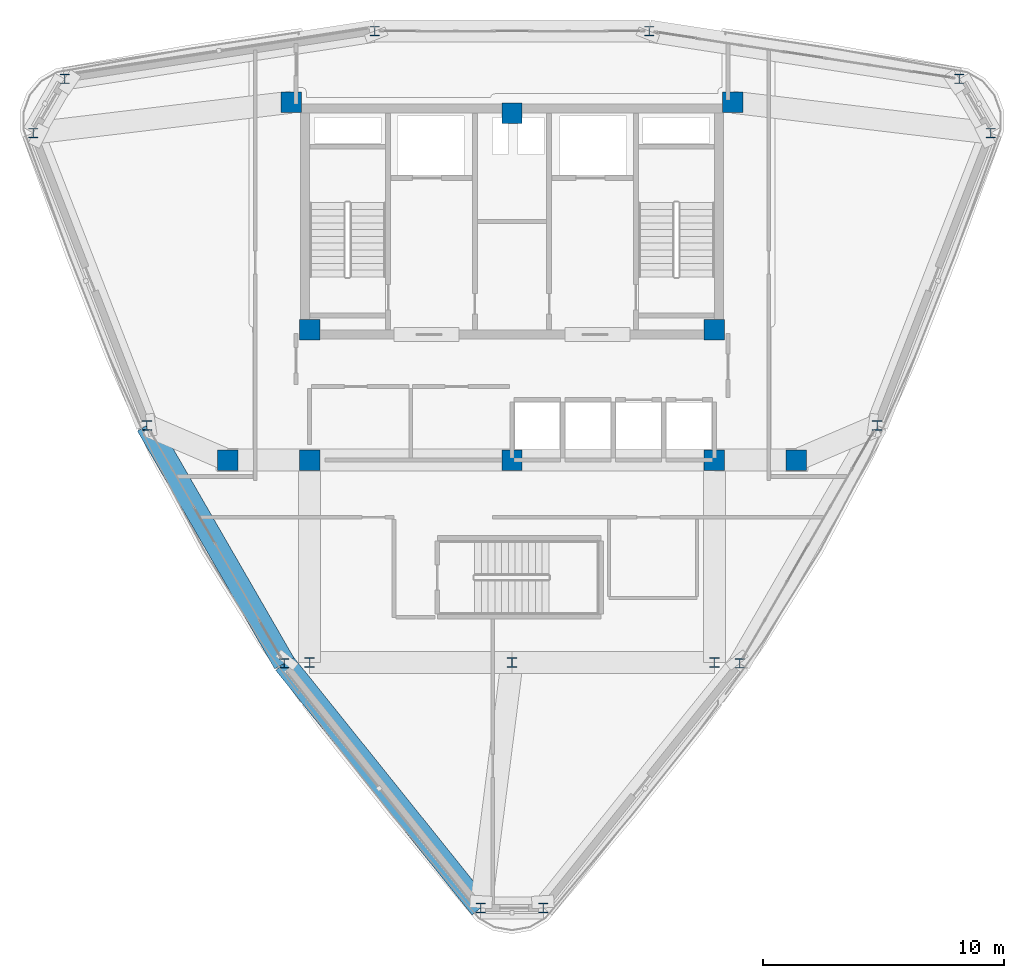
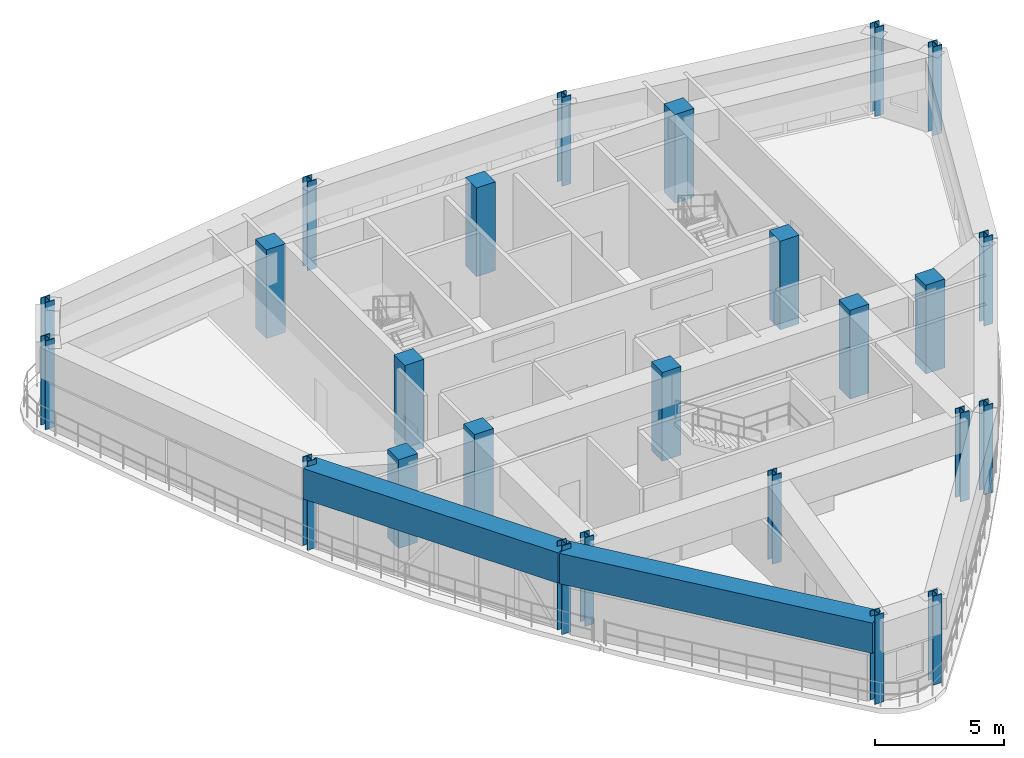
# One storey, part 1 of 18: 25 columns, 2 beams.
"""IFC4 building model written with IfcOpenShell, lengths in metres."""

from ifc_helpers import new_model, si_unit, derived_unit, direction, frame, origin, origin_2d, place, context, subcontext, project, spatial, rectangle, i_section, extrude, source, transform, mapped, material, material_profile, profile_set, type_object, element, save


model = new_model("IFC4")

# Units and contexts
model_context = context("Model", 3, precision=1e-05, world=origin(), true_north=direction((0.0, 1.0)))
body_context = subcontext(model_context, "Body", "Model", "MODEL_VIEW")
ifc_project = project(units=[si_unit("LENGTHUNIT", "METRE"), si_unit("AREAUNIT", "SQUARE_METRE"), si_unit("VOLUMEUNIT", "CUBIC_METRE"), si_unit("PLANEANGLEUNIT", "RADIAN"), si_unit("MASSUNIT", "GRAM", prefix="KILO"), derived_unit("THERMALTRANSMITTANCEUNIT", [(si_unit("POWERUNIT", "WATT"), 1), (si_unit("LENGTHUNIT", "METRE"), -2), (si_unit("THERMODYNAMICTEMPERATUREUNIT", "KELVIN"), -1)])], contexts=[model_context])

# Site, building, storey
site_placement = place(None, origin())
site = spatial("IfcSite", under=ifc_project, at=site_placement, CompositionType="ELEMENT")
building_placement = place(site_placement, origin())
building = spatial("IfcBuilding", under=site, at=building_placement, Name="Korsvarv Bourse and Concert Hall", CompositionType="ELEMENT")
storey_placement = place(building_placement, frame((0.0, 0.0, 275.39990234375)))
storey = spatial("IfcBuildingStorey", under=building, at=storey_placement, Name="L72", CompositionType="ELEMENT", Elevation=275.39990234375)

# Columns
ifc_material_1 = material(Name="Concrete C50/60", Category="concrete")
ifc_material_profile_1 = material_profile(ifc_material_1, rectangle(XDim=0.85009765625, YDim=0.85009765625, at=origin_2d()), Name="RC 850x850")
ifc_profile_set_1 = profile_set([ifc_material_profile_1], Name="Concrete C50/60")
column_type_1 = type_object("IfcColumnType", Name="COL-RC850", PredefinedType="COLUMN", material=ifc_profile_set_1)
shared_shape_1 = source(origin(), body_context, "Body", "SweptSolid", [
    extrude(rectangle(XDim=0.85009765625, YDim=0.85009765625, at=origin_2d()), origin(), (0.0, 0.0, 1.0), 4.2001953125),
])
for number, where, z_axis, x_axis, name in (
    (1, (26.85009765625, 47.25, 0.0), (0.0, 0.0, 1.0), (1.0, 0.0, 0.0), "L72 column C-04"),
    (2, (45.14990234375, 47.25, 0.0), (0.0, 0.0, 1.0), (1.0, 0.0, 0.0), "L72 column C-04"),
    (3, (27.60009765625, 37.800048828125, 0.0), (0.0, 0.0, 1.0), (1.0, 0.0, 0.0), "L72 column C-04"),
    (4, (44.39990234375, 37.800048828125, 0.0), (0.0, 0.0, 1.0), (1.0, 0.0, 0.0), "L72 column C-04"),
    (5, (27.60009765625, 32.39990234375, 0.0), (0.0, 0.0, 1.0), (1.0, 0.0, 0.0), "L72 column C-04"),
    (6, (44.39990234375, 32.39990234375, 0.0), (0.0, 0.0, 1.0), (1.0, 0.0, 0.0), "L72 column C-04"),
    (7, (36.0, 46.800048828125, 0.0), (0.0, 0.0, 1.0), (1.0, 0.0, 0.0), "L72 column C-04"),
    (8, (36.0, 32.39990234375, 0.0), (0.0, 0.0, 1.0), (1.0, 0.0, 0.0), "L72 column C-04"),
    (9, (24.199951171875, 32.39990234375, 0.0), (0.0, 0.0, 1.0), (1.0, 0.0, 0.0), "L72 column C-04"),
    (10, (47.800048828125, 32.39990234375, 0.0), (0.0, 0.0, 1.0), (1.0, 0.0, 0.0), "L72 column C-04"),
):
    element("IfcColumn", number, at=place(storey_placement, frame(where, z_axis=z_axis, x_axis=x_axis)), inside=storey, type_object=column_type_1, Name=name, PredefinedType="COLUMN", context=body_context, shape_type="MappedRepresentation", body=[
        mapped(shared_shape_1, transform((0.0, 0.0, 0.0), scale=1.0)),
    ])
ifc_material_2 = material(Name="Steel S355", Category="steel")
ifc_material_profile_2 = material_profile(ifc_material_2, i_section(OverallWidth=0.40087890625, OverallDepth=0.39892578125, WebThickness=0.0224609375, FlangeThickness=0.035888671875, FilletRadius=0.014892578125, at=origin_2d()), Name="HD 400x314")
ifc_profile_set_2 = profile_set([ifc_material_profile_2], Name="Steel S355")
column_type_2 = type_object("IfcColumnType", Name="COL-HD314", PredefinedType="COLUMN", material=ifc_profile_set_2)
shared_shape_2 = source(origin(), body_context, "Body", "SweptSolid", [
    extrude(i_section(OverallWidth=0.40087890625, OverallDepth=0.39892578125, WebThickness=0.0224609375, FlangeThickness=0.035888671875, FilletRadius=0.014892578125, at=origin_2d()), origin(), (0.0, 0.0, 1.0), 4.2001953125),
])
for number, where, z_axis, x_axis, name in (
    (11, (27.60009765625, 24.0, 0.0), (0.0, 0.0, 1.0), (1.0, 0.0, 0.0), "L72 column C-11"),
    (12, (44.39990234375, 24.0, 0.0), (0.0, 0.0, 1.0), (1.0, 0.0, 0.0), "L72 column C-11"),
    (13, (36.0, 24.0, 0.0), (0.0, 0.0, 1.0), (1.0, 0.0, 0.0), "L72 column C-11"),
    (14, (55.86328125, 45.9677734375, 0.0), (0.0, 0.0, 1.0), (1.0, 0.0, 0.0), "L72 column C-11"),
    (15, (54.564208984375, 48.21826171875, 0.0), (0.0, 0.0, 1.0), (1.0, 0.0, 0.0), "L72 column C-11"),
    (16, (41.69921875, 50.19970703125, 0.0), (0.0, 0.0, 1.0), (1.0, 0.0, 0.0), "L72 column C-11"),
    (17, (30.30078125, 50.19970703125, 0.0), (0.0, 0.0, 1.0), (1.0, 0.0, 0.0), "L72 column C-11"),
    (18, (17.435791015625, 48.21826171875, 0.0), (0.0, 0.0, 1.0), (1.0, 0.0, 0.0), "L72 column C-11"),
    (19, (16.13671875, 45.9677734375, 0.0), (0.0, 0.0, 1.0), (1.0, 0.0, 0.0), "L72 column C-11"),
    (20, (20.85302734375, 33.835693359375, 0.0), (0.0, 0.0, 1.0), (1.0, 0.0, 0.0), "L72 column C-11"),
    (21, (26.55224609375, 23.964599609375, 0.0), (0.0, 0.0, 1.0), (1.0, 0.0, 0.0), "L72 column C-11"),
    (22, (34.70068359375, 13.81396484375, 0.0), (0.0, 0.0, 1.0), (1.0, 0.0, 0.0), "L72 column C-11"),
    (23, (37.29931640625, 13.81396484375, 0.0), (0.0, 0.0, 1.0), (1.0, 0.0, 0.0), "L72 column C-11"),
    (24, (45.44775390625, 23.964599609375, 0.0), (0.0, 0.0, 1.0), (1.0, 0.0, 0.0), "L72 column C-11"),
    (25, (51.14697265625, 33.835693359375, 0.0), (0.0, 0.0, 1.0), (1.0, 0.0, 0.0), "L72 column C-11"),
):
    element("IfcColumn", number, at=place(storey_placement, frame(where, z_axis=z_axis, x_axis=x_axis)), inside=storey, type_object=column_type_2, Name=name, PredefinedType="COLUMN", context=body_context, shape_type="MappedRepresentation", body=[
        mapped(shared_shape_2, transform((0.0, 0.0, 0.0), scale=1.0)),
    ])

# Beams
ifc_material_profile_3 = material_profile(ifc_material_1, rectangle(XDim=0.919921875, YDim=1.43994140625, at=origin_2d()), Name="RC-BM 920x1440")
ifc_profile_set_3 = profile_set([ifc_material_profile_3], Name="Concrete C50/60")
beam_type = type_object("IfcBeamType", Name="BM-TR-144", PredefinedType="BEAM", material=ifc_profile_set_3)
shared_shape_3 = source(origin(), body_context, "Body", "SweptSolid", [
    extrude(rectangle(XDim=0.919921875, YDim=1.43994140625, at=origin_2d()), origin(), (0.0, 0.0, 1.0), 13.0166015625),
])
beam_1_placement = place(storey_placement, frame((26.55224609375, 23.964599609375, 3.239990234375), z_axis=(0.626002520794, -0.779821033289, 0.0), x_axis=(0.779821033289, 0.626002520794, 0.0)))
element("IfcBeam", 26, at=beam_1_placement, inside=storey, type_object=beam_type, Name="L72 beam B-TR4", PredefinedType="BEAM", context=body_context, shape_type="MappedRepresentation", body=[
    mapped(shared_shape_3, transform((0.0, 0.0, 0.0), scale=1.0)),
])
shared_shape_4 = source(origin(), body_context, "Body", "SweptSolid", [
    extrude(rectangle(XDim=0.919921875, YDim=1.43994140625, at=origin_2d()), origin(), (0.0, 0.0, 1.0), 11.398193359375),
])
beam_2_placement = place(storey_placement, frame((20.85302734375, 33.835693359375, 3.239990234375), z_axis=(0.500009219579, -0.866020080793, 0.0), x_axis=(0.866020080793, 0.500009219579, 0.0)))
element("IfcBeam", 27, at=beam_2_placement, inside=storey, type_object=beam_type, Name="L72 beam B-TR4", PredefinedType="BEAM", context=body_context, shape_type="MappedRepresentation", body=[
    mapped(shared_shape_4, transform((0.0, 0.0, 0.0), scale=1.0)),
])

save(model, "model.ifc")
